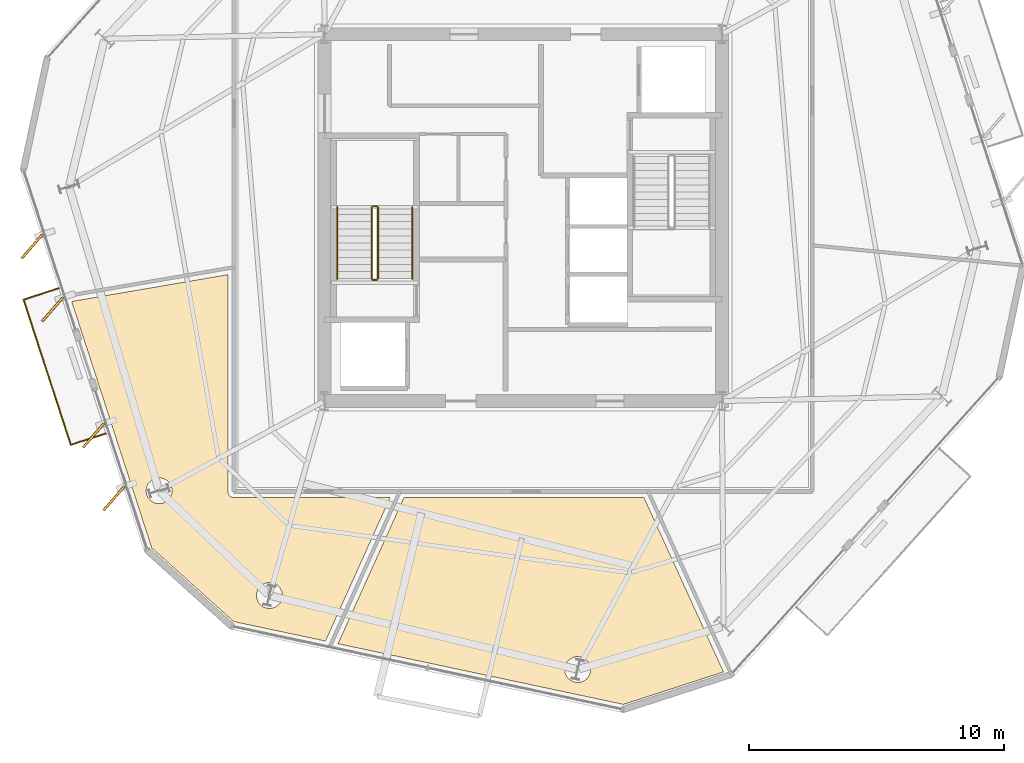
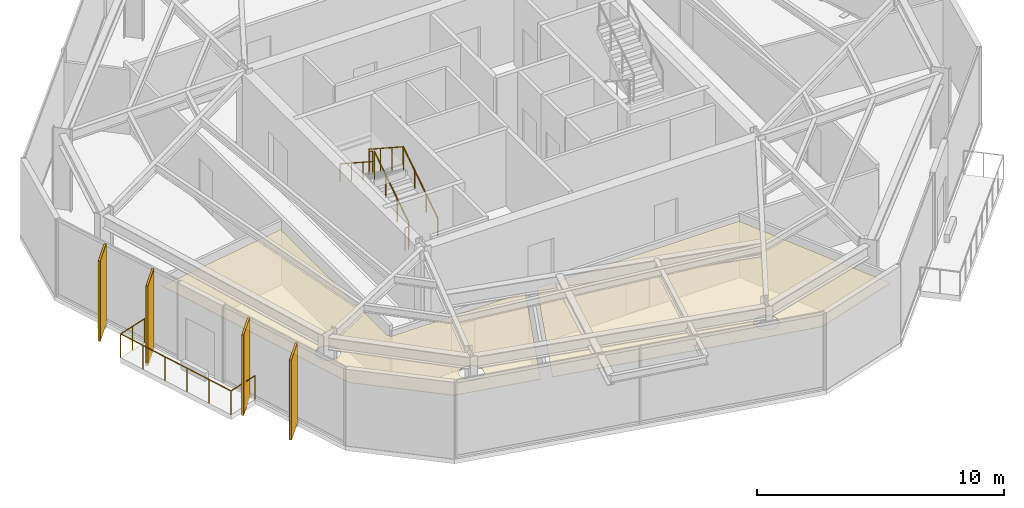
# One storey, part 9 of 11: 7 railings, 6 coverings, 4 shading devices.
"""IFC4 building model written with IfcOpenShell, lengths in metres."""

from ifc_helpers import new_model, si_unit, direction, frame, origin, origin_2d, place, context, subcontext, project, spatial, polyline, rectangle, circle, outline, extrude, material, layer, layer_set, type_object, element, save


model = new_model("IFC4")

# Units and contexts
model_context = context("Model", 3, precision=1e-05, world=origin(), true_north=direction((0.0, 1.0)))
body_context = subcontext(model_context, "Body", "Model", "MODEL_VIEW")
ifc_project = project(units=[si_unit("LENGTHUNIT", "METRE"), si_unit("AREAUNIT", "SQUARE_METRE"), si_unit("VOLUMEUNIT", "CUBIC_METRE"), si_unit("PLANEANGLEUNIT", "RADIAN"), si_unit("MASSUNIT", "GRAM", prefix="KILO")], contexts=[model_context])

# Site, building, storey
site_placement = place(None, origin())
site = spatial("IfcSite", under=ifc_project, at=site_placement, CompositionType="ELEMENT")
building_placement = place(site_placement, origin())
building = spatial("IfcBuilding", under=site, at=building_placement, Name="Kranzbogen Civic Tower", CompositionType="ELEMENT")
storey_placement = place(building_placement, frame((0.0, 0.0, 216.800048828125)))
storey = spatial("IfcBuildingStorey", under=building, at=storey_placement, Name="L52", CompositionType="ELEMENT", Elevation=216.800048828125)

# Coverings
ifc_material_1 = material(Name="Pale Anodised Aluminium", Category="aluminium")
ifc_layer_1 = layer(ifc_material_1, 0.02490234375, Name="Pale Anodised Aluminium")
ifc_layer_set_1 = layer_set([ifc_layer_1], Name="Pale Anodised Aluminium")
covering_type_1 = type_object("IfcCoveringType", Name="Anodised Aluminium Vertical Fin Cladding 25 mm", PredefinedType="CLADDING", material=ifc_layer_set_1)
for number, where, z_axis, x_axis, name in (
    (1, (5.720947265625, 23.864990234375, -0.14013671875), (0.0, 0.0, 1.0), (-0.657322635543, -0.753609283915, 0.0), "L52 vertical fin pale-metal cladding F3-1"),
    (2, (6.52392578125, 21.39306640625, -0.14013671875), (0.0, 0.0, 1.0), (-0.657322635543, -0.753609283915, 0.0), "L52 vertical fin pale-metal cladding F3-2"),
    (3, (8.131103515625, 16.447021484375, -0.14013671875), (0.0, 0.0, 1.0), (-0.657322635543, -0.753609283915, 0.0), "L52 vertical fin pale-metal cladding F3-4"),
    (4, (8.93408203125, 13.97412109375, -0.14013671875), (0.0, 0.0, 1.0), (-0.657322635543, -0.753609283915, 0.0), "L52 vertical fin pale-metal cladding F3-5"),
):
    element("IfcCovering", number, at=place(storey_placement, frame(where, z_axis=z_axis, x_axis=x_axis)), inside=storey, type_object=covering_type_1, Name=name, PredefinedType="CLADDING", context=body_context, shape_type="SweptSolid", body=[
        extrude(rectangle(XDim=1.25, YDim=0.10009765625, at=origin_2d()), origin(), (0.0, 0.0, 1.0), 3.9599609375),
    ])

# Shading devices
ifc_material_2 = material(Name="Anodised Bronze Aluminium", Category="aluminium")
shading_device_type = type_object("IfcShadingDeviceType", Name="Anodised Bronze Vertical Facade Fin 1250x80", PredefinedType="USERDEFINED", material=ifc_material_2)
for number, where, z_axis, x_axis, name in (
    (5, (5.720947265625, 23.864990234375, -0.14013671875), (0.0, 0.0, 1.0), (-0.657322635543, -0.753609283915, 0.0), "L52 vertical exterior shading fin F3-1"),
    (6, (6.52392578125, 21.39306640625, -0.14013671875), (0.0, 0.0, 1.0), (-0.657322635543, -0.753609283915, 0.0), "L52 vertical exterior shading fin F3-2"),
    (7, (8.131103515625, 16.447021484375, -0.14013671875), (0.0, 0.0, 1.0), (-0.657322635543, -0.753609283915, 0.0), "L52 vertical exterior shading fin F3-4"),
    (8, (8.93408203125, 13.97412109375, -0.14013671875), (0.0, 0.0, 1.0), (-0.657322635543, -0.753609283915, 0.0), "L52 vertical exterior shading fin F3-5"),
):
    element("IfcShadingDevice", number, at=place(storey_placement, frame(where, z_axis=z_axis, x_axis=x_axis)), inside=storey, type_object=shading_device_type, Name=name, ObjectType="FIN", PredefinedType="USERDEFINED", context=body_context, shape_type="SweptSolid", body=[
        extrude(rectangle(XDim=1.25, YDim=0.080078125, at=origin_2d()), origin(), (0.0, 0.0, 1.0), 3.9599609375),
    ])

# Railings
railing_type_1 = type_object("IfcRailingType", Name="Cantilevered Balcony Glass and Bronze Balustrade 1200", PredefinedType="BALUSTRADE", material=ifc_material_2)
railing_1_placement = place(storey_placement, frame((6.763916015625, 22.22900390625, 0.0)))
element("IfcRailing", 9, at=railing_1_placement, inside=storey, type_object=railing_type_1, Name="L52 exterior terrace balustrade L52-TB2", PredefinedType="BALUSTRADE", context=body_context, shape_type="SweptSolid", body=[
    extrude(circle(Radius=0.02392578125, at=origin_2d()), frame((0.0, 0.0, 1.17578125), z_axis=(-0.951063763333, -0.308994689397, 0.0), x_axis=(0.308994689397, -0.951063763333, 0.0)), (0.0, 0.0, 1.0), 1.449951171875),
    extrude(circle(Radius=0.02392578125, at=origin_2d()), frame((-1.37890625, -0.447998046875, 1.17578125), z_axis=(0.309016142662, -0.951056793033, 0.0), x_axis=(0.951056793033, 0.309016142662, 0.0)), (0.0, 0.0, 1.0), 5.999755859375),
    extrude(circle(Radius=0.02392578125, at=origin_2d()), frame((0.47509765625, -6.154052734375, 1.17578125), z_axis=(0.951063763333, 0.308994689397, 0.0), x_axis=(-0.308994689397, 0.951063763333, 0.0)), (0.0, 0.0, 1.0), 1.449951171875),
    extrude(circle(Radius=0.02099609375, at=origin_2d()), origin(), (0.0, 0.0, 1.0), 1.15185546875),
    extrude(circle(Radius=0.02099609375, at=origin_2d()), frame((-0.689453125, -0.22412109375, 0.0)), (0.0, 0.0, 1.0), 1.15185546875),
    extrude(circle(Radius=0.02099609375, at=origin_2d()), frame((-1.37890625, -0.447998046875, 0.0)), (0.0, 0.0, 1.0), 1.15185546875),
    extrude(circle(Radius=0.02099609375, at=origin_2d()), frame((-1.008056640625, -1.589111328125, 0.0)), (0.0, 0.0, 1.0), 1.15185546875),
    extrude(circle(Radius=0.02099609375, at=origin_2d()), frame((-0.63720703125, -2.73046875, 0.0)), (0.0, 0.0, 1.0), 1.15185546875),
    extrude(circle(Radius=0.02099609375, at=origin_2d()), frame((-0.2666015625, -3.87158203125, 0.0)), (0.0, 0.0, 1.0), 1.15185546875),
    extrude(circle(Radius=0.02099609375, at=origin_2d()), frame((0.104248046875, -5.012939453125, 0.0)), (0.0, 0.0, 1.0), 1.15185546875),
    extrude(circle(Radius=0.02099609375, at=origin_2d()), frame((0.47509765625, -6.154052734375, 0.0)), (0.0, 0.0, 1.0), 1.15185546875),
    extrude(circle(Radius=0.02099609375, at=origin_2d()), frame((1.16455078125, -5.93017578125, 0.0)), (0.0, 0.0, 1.0), 1.15185546875),
    extrude(circle(Radius=0.02099609375, at=origin_2d()), frame((1.85400390625, -5.7060546875, 0.0)), (0.0, 0.0, 1.0), 1.15185546875),
])
ifc_material_3 = material(Name="Steel S355", Category="steel")
railing_type_2 = type_object("IfcRailingType", Name="Internal Stair and Void Steel Guardrail 1150", PredefinedType="GUARDRAIL", material=ifc_material_3)
railing_2_placement = place(storey_placement, frame((19.300048828125, 22.60009765625, 0.181884765625)))
element("IfcRailing", 10, at=railing_2_placement, inside=storey, type_object=railing_type_2, Name="L52 ST-T1 stair guard 1", PredefinedType="GUARDRAIL", context=body_context, shape_type="SweptSolid", body=[
    extrude(circle(Radius=0.02392578125, at=origin_2d()), frame((0.0, 0.0, 1.1259765625), z_axis=(0.0, 0.83868413941, 0.544618136222), x_axis=(-1.0, 0.0, 0.0)), (0.0, 0.0, 1.0), 3.33837890625),
    extrude(circle(Radius=0.02099609375, at=origin_2d()), origin(), (0.0, 0.0, 1.0), 1.101806640625),
    extrude(circle(Radius=0.02099609375, at=origin_2d()), frame((0.0, 0.933349609375, 0.60595703125)), (0.0, 0.0, 1.0), 1.101806640625),
    extrude(circle(Radius=0.02099609375, at=origin_2d()), frame((0.0, 1.866455078125, 1.212158203125)), (0.0, 0.0, 1.0), 1.101806640625),
    extrude(circle(Radius=0.02099609375, at=origin_2d()), frame((0.0, 2.7998046875, 1.818115234375)), (0.0, 0.0, 1.0), 1.101806640625),
])
railing_3_placement = place(storey_placement, frame((19.25, 25.449951171875, 2.0)))
element("IfcRailing", 11, at=railing_3_placement, inside=storey, type_object=railing_type_2, Name="L52 ST-T1 stair guard 2", PredefinedType="GUARDRAIL", context=body_context, shape_type="SweptSolid", body=[
    extrude(circle(Radius=0.02392578125, at=origin_2d()), frame((0.0, 0.0, 1.1259765625), z_axis=(-1.0, 0.0, 0.0), x_axis=(0.0, -1.0, 0.0)), (0.0, 0.0, 1.0), 0.14990234375),
    extrude(circle(Radius=0.02099609375, at=origin_2d()), origin(), (0.0, 0.0, 1.0), 1.101806640625),
    extrude(circle(Radius=0.02099609375, at=origin_2d()), frame((-0.14990234375, 0.0, 0.0)), (0.0, 0.0, 1.0), 1.101806640625),
])
railing_4_placement = place(storey_placement, frame((19.050048828125, 25.39990234375, 2.181884765625)))
element("IfcRailing", 12, at=railing_4_placement, inside=storey, type_object=railing_type_2, Name="L52 ST-T1 stair guard 3", PredefinedType="GUARDRAIL", context=body_context, shape_type="SweptSolid", body=[
    extrude(circle(Radius=0.02392578125, at=origin_2d()), frame((0.0, 0.0, 1.1259765625), z_axis=(0.0, -0.83868413941, 0.544618136222), x_axis=(1.0, 0.0, 0.0)), (0.0, 0.0, 1.0), 3.33837890625),
    extrude(circle(Radius=0.02099609375, at=origin_2d()), origin(), (0.0, 0.0, 1.0), 1.101806640625),
    extrude(circle(Radius=0.02099609375, at=origin_2d()), frame((0.0, -0.933349609375, 0.60595703125)), (0.0, 0.0, 1.0), 1.101806640625),
    extrude(circle(Radius=0.02099609375, at=origin_2d()), frame((0.0, -1.866455078125, 1.212158203125)), (0.0, 0.0, 1.0), 1.101806640625),
    extrude(circle(Radius=0.02099609375, at=origin_2d()), frame((0.0, -2.7998046875, 1.818115234375)), (0.0, 0.0, 1.0), 1.101806640625),
])
railing_5_placement = place(storey_placement, frame((19.25, 22.550048828125, 0.0)))
element("IfcRailing", 13, at=railing_5_placement, inside=storey, type_object=railing_type_2, Name="L52 ST-T1 stair guard 4", PredefinedType="GUARDRAIL", context=body_context, shape_type="SweptSolid", body=[
    extrude(circle(Radius=0.02392578125, at=origin_2d()), frame((0.0, 0.0, 1.1259765625), z_axis=(-1.0, 0.0, 0.0), x_axis=(0.0, -1.0, 0.0)), (0.0, 0.0, 1.0), 0.14990234375),
    extrude(circle(Radius=0.02099609375, at=origin_2d()), origin(), (0.0, 0.0, 1.0), 1.101806640625),
    extrude(circle(Radius=0.02099609375, at=origin_2d()), frame((-0.14990234375, 0.0, 0.0)), (0.0, 0.0, 1.0), 1.101806640625),
])

# Coverings
ifc_material_4 = material(Name="Perforated Acoustic Gypsum Ceiling")
ifc_layer_2 = layer(ifc_material_4, 0.02490234375, Name="Perforated Acoustic Gypsum Ceiling")
ifc_layer_set_2 = layer_set([ifc_layer_2], Name="Perforated Acoustic Gypsum Ceiling")
covering_type_2 = type_object("IfcCoveringType", Name="Perforated Acoustic Mineral Ceiling Tile 25 mm", PredefinedType="CEILING", material=ifc_layer_set_2)
covering_1_placement = place(storey_placement, frame((0.0, 0.0, 2.89990234375)))
element("IfcCovering", 14, at=covering_1_placement, inside=storey, type_object=covering_type_2, Name="L52 Delegates Sitting Lounge acoustic ceiling", PredefinedType="CEILING", context=body_context, shape_type="SweptSolid", body=[
    extrude(outline(polyline([(10.4169921875, 12.035888671875), (7.27490234375, 21.7080078125), (13.405029296875, 22.760986328125), (13.405029296875, 14.25), (13.405029296875, 14.240966796875), (13.406005859375, 14.235107421875), (13.406982421875, 14.217041015625), (13.407958984375, 14.2109375), (13.412109375, 14.194091796875), (13.4130859375, 14.18701171875), (13.41796875, 14.169921875), (13.419921875, 14.1640625), (13.427001953125, 14.14794921875), (13.429931640625, 14.14208984375), (13.43798828125, 14.126953125), (13.44189453125, 14.12109375), (13.450927734375, 14.10693359375), (13.455078125, 14.10205078125), (13.466064453125, 14.087890625), (13.470947265625, 14.0830078125), (13.48291015625, 14.071044921875), (13.488037109375, 14.06591796875), (13.501953125, 14.054931640625), (13.507080078125, 14.051025390625), (13.52099609375, 14.0419921875), (13.527099609375, 14.0380859375), (13.5419921875, 14.030029296875), (13.548095703125, 14.027099609375), (13.56396484375, 14.02001953125), (13.570068359375, 14.01806640625), (13.5869140625, 14.012939453125), (13.593994140625, 14.011962890625), (13.611083984375, 14.008056640625), (13.616943359375, 14.007080078125), (13.635009765625, 14.006103515625), (13.64111328125, 14.0048828125), (13.64990234375, 14.0048828125), (19.77587890625, 14.0048828125), (17.239013671875, 8.375), (13.632080078125, 9.14208984375), (10.4169921875, 12.035888671875)]), holes=[polyline([(15.508056640625, 9.970947265625), (15.486083984375, 9.926025390625), (15.4609375, 9.883056640625), (15.430908203125, 9.843017578125), (15.39794921875, 9.805908203125), (15.361083984375, 9.77294921875), (15.321044921875, 9.742919921875), (15.278076171875, 9.718017578125), (15.23291015625, 9.696044921875), (15.18603515625, 9.679931640625), (15.137939453125, 9.66796875), (15.089111328125, 9.659912109375), (15.0390625, 9.657958984375), (14.989013671875, 9.659912109375), (14.93994140625, 9.66796875), (14.89208984375, 9.679931640625), (14.844970703125, 9.696044921875), (14.800048828125, 9.718017578125), (14.757080078125, 9.742919921875), (14.717041015625, 9.77294921875), (14.679931640625, 9.805908203125), (14.64697265625, 9.843017578125), (14.616943359375, 9.883056640625), (14.592041015625, 9.926025390625), (14.570068359375, 9.970947265625), (14.553955078125, 10.01806640625), (14.5419921875, 10.06591796875), (14.533935546875, 10.114990234375), (14.531982421875, 10.1650390625), (14.533935546875, 10.215087890625), (14.5419921875, 10.263916015625), (14.553955078125, 10.31201171875), (14.570068359375, 10.35888671875), (14.592041015625, 10.404052734375), (14.616943359375, 10.447021484375), (14.64697265625, 10.487060546875), (14.679931640625, 10.52392578125), (14.717041015625, 10.556884765625), (14.757080078125, 10.5869140625), (14.800048828125, 10.612060546875), (14.844970703125, 10.634033203125), (14.89208984375, 10.64990234375), (14.93994140625, 10.662109375), (14.989013671875, 10.669921875), (15.0390625, 10.672119140625), (15.089111328125, 10.669921875), (15.137939453125, 10.662109375), (15.18603515625, 10.64990234375), (15.23291015625, 10.634033203125), (15.278076171875, 10.612060546875), (15.321044921875, 10.5869140625), (15.361083984375, 10.556884765625), (15.39794921875, 10.52392578125), (15.430908203125, 10.487060546875), (15.4609375, 10.447021484375), (15.486083984375, 10.404052734375), (15.508056640625, 10.35888671875), (15.52392578125, 10.31201171875), (15.535888671875, 10.263916015625), (15.5439453125, 10.215087890625), (15.5458984375, 10.1650390625), (15.5439453125, 10.114990234375), (15.535888671875, 10.06591796875), (15.52392578125, 10.01806640625), (15.508056640625, 9.970947265625)]), polyline([(11.176025390625, 14.08203125), (11.154052734375, 14.037109375), (11.12890625, 13.993896484375), (11.09912109375, 13.9541015625), (11.06591796875, 13.9169921875), (11.029052734375, 13.884033203125), (10.989013671875, 13.85400390625), (10.946044921875, 13.8291015625), (10.90087890625, 13.806884765625), (10.85400390625, 13.791015625), (10.805908203125, 13.779052734375), (10.757080078125, 13.77099609375), (10.70703125, 13.76904296875), (10.656982421875, 13.77099609375), (10.60791015625, 13.779052734375), (10.56005859375, 13.791015625), (10.512939453125, 13.806884765625), (10.468017578125, 13.8291015625), (10.425048828125, 13.85400390625), (10.385009765625, 13.884033203125), (10.347900390625, 13.9169921875), (10.31494140625, 13.9541015625), (10.284912109375, 13.993896484375), (10.260009765625, 14.037109375), (10.238037109375, 14.08203125), (10.221923828125, 14.12890625), (10.2099609375, 14.177001953125), (10.201904296875, 14.22607421875), (10.199951171875, 14.27587890625), (10.201904296875, 14.325927734375), (10.2099609375, 14.375), (10.221923828125, 14.423095703125), (10.238037109375, 14.469970703125), (10.260009765625, 14.514892578125), (10.284912109375, 14.55810546875), (10.31494140625, 14.597900390625), (10.347900390625, 14.635009765625), (10.385009765625, 14.66796875), (10.425048828125, 14.697998046875), (10.468017578125, 14.722900390625), (10.512939453125, 14.7451171875), (10.56005859375, 14.760986328125), (10.60791015625, 14.77294921875), (10.656982421875, 14.781005859375), (10.70703125, 14.782958984375), (10.757080078125, 14.781005859375), (10.805908203125, 14.77294921875), (10.85400390625, 14.760986328125), (10.90087890625, 14.7451171875), (10.946044921875, 14.722900390625), (10.989013671875, 14.697998046875), (11.029052734375, 14.66796875), (11.06591796875, 14.635009765625), (11.09912109375, 14.597900390625), (11.12890625, 14.55810546875), (11.154052734375, 14.514892578125), (11.176025390625, 14.469970703125), (11.19189453125, 14.423095703125), (11.2041015625, 14.375), (11.2119140625, 14.325927734375), (11.214111328125, 14.27587890625), (11.2119140625, 14.22607421875), (11.2041015625, 14.177001953125), (11.19189453125, 14.12890625), (11.176025390625, 14.08203125)])]), origin(), (0.0, 0.0, 1.0), 0.025146484375),
])
covering_2_placement = place(storey_placement, frame((0.0, 0.0, 2.89990234375)))
element("IfcCovering", 15, at=covering_2_placement, inside=storey, type_object=covering_type_2, Name="L52 Executive Research Study acoustic ceiling", PredefinedType="CEILING", context=body_context, shape_type="SweptSolid", body=[
    extrude(outline(polyline([(17.72900390625, 8.27099609375), (20.31396484375, 14.0048828125), (29.743896484375, 14.0048828125), (32.863037109375, 7.1650390625), (28.93505859375, 5.888916015625), (17.72900390625, 8.27099609375)]), holes=[polyline([(27.60888671875, 7.06591796875), (27.5869140625, 7.02099609375), (27.56201171875, 6.97802734375), (27.531982421875, 6.93798828125), (27.4990234375, 6.90087890625), (27.4619140625, 6.867919921875), (27.422119140625, 6.837890625), (27.37890625, 6.81298828125), (27.333984375, 6.791015625), (27.287109375, 6.77490234375), (27.239013671875, 6.762939453125), (27.18994140625, 6.7548828125), (27.139892578125, 6.7529296875), (27.090087890625, 6.7548828125), (27.041015625, 6.762939453125), (26.992919921875, 6.77490234375), (26.946044921875, 6.791015625), (26.90087890625, 6.81298828125), (26.85791015625, 6.837890625), (26.818115234375, 6.867919921875), (26.781005859375, 6.90087890625), (26.748046875, 6.93798828125), (26.718017578125, 6.97802734375), (26.693115234375, 7.02099609375), (26.6708984375, 7.06591796875), (26.655029296875, 7.113037109375), (26.64306640625, 7.160888671875), (26.635009765625, 7.2099609375), (26.633056640625, 7.260009765625), (26.635009765625, 7.31005859375), (26.64306640625, 7.35888671875), (26.655029296875, 7.406982421875), (26.6708984375, 7.4541015625), (26.693115234375, 7.4990234375), (26.718017578125, 7.5419921875), (26.748046875, 7.58203125), (26.781005859375, 7.618896484375), (26.818115234375, 7.652099609375), (26.85791015625, 7.681884765625), (26.90087890625, 7.70703125), (26.946044921875, 7.72900390625), (26.992919921875, 7.7451171875), (27.041015625, 7.757080078125), (27.090087890625, 7.764892578125), (27.139892578125, 7.76708984375), (27.18994140625, 7.764892578125), (27.239013671875, 7.757080078125), (27.287109375, 7.7451171875), (27.333984375, 7.72900390625), (27.37890625, 7.70703125), (27.422119140625, 7.681884765625), (27.4619140625, 7.652099609375), (27.4990234375, 7.618896484375), (27.531982421875, 7.58203125), (27.56201171875, 7.5419921875), (27.5869140625, 7.4990234375), (27.60888671875, 7.4541015625), (27.625, 7.406982421875), (27.636962890625, 7.35888671875), (27.64501953125, 7.31005859375), (27.64697265625, 7.260009765625), (27.64501953125, 7.2099609375), (27.636962890625, 7.160888671875), (27.625, 7.113037109375), (27.60888671875, 7.06591796875)])]), origin(), (0.0, 0.0, 1.0), 0.025146484375),
])

# Railings
railing_type_3 = type_object("IfcRailingType", Name="Tubular Stainless Stair Wall Handrail 900", PredefinedType="HANDRAIL", material=ifc_material_1)
railing_6_placement = place(storey_placement, frame((20.64990234375, 22.60009765625, 0.181884765625)))
element("IfcRailing", 16, at=railing_6_placement, inside=storey, type_object=railing_type_3, Name="L52 ST-T1 stair handrail 1", PredefinedType="HANDRAIL", context=body_context, shape_type="SweptSolid", body=[
    extrude(circle(Radius=0.02392578125, at=origin_2d()), frame((0.0, 0.0, 0.8759765625), z_axis=(0.0, 0.83868413941, 0.544618136222), x_axis=(-1.0, 0.0, 0.0)), (0.0, 0.0, 1.0), 3.33837890625),
    extrude(circle(Radius=0.02099609375, at=origin_2d()), origin(), (0.0, 0.0, 1.0), 0.851806640625),
    extrude(circle(Radius=0.02099609375, at=origin_2d()), frame((0.0, 0.933349609375, 0.60595703125)), (0.0, 0.0, 1.0), 0.851806640625),
    extrude(circle(Radius=0.02099609375, at=origin_2d()), frame((0.0, 1.866455078125, 1.212158203125)), (0.0, 0.0, 1.0), 0.851806640625),
    extrude(circle(Radius=0.02099609375, at=origin_2d()), frame((0.0, 2.7998046875, 1.818115234375)), (0.0, 0.0, 1.0), 0.851806640625),
])
railing_7_placement = place(storey_placement, frame((17.699951171875, 25.39990234375, 2.181884765625)))
element("IfcRailing", 17, at=railing_7_placement, inside=storey, type_object=railing_type_3, Name="L52 ST-T1 stair handrail 2", PredefinedType="HANDRAIL", context=body_context, shape_type="SweptSolid", body=[
    extrude(circle(Radius=0.02392578125, at=origin_2d()), frame((0.0, 0.0, 0.8759765625), z_axis=(0.0, -0.83868413941, 0.544618136222), x_axis=(1.0, 0.0, 0.0)), (0.0, 0.0, 1.0), 3.33837890625),
    extrude(circle(Radius=0.02099609375, at=origin_2d()), origin(), (0.0, 0.0, 1.0), 0.851806640625),
    extrude(circle(Radius=0.02099609375, at=origin_2d()), frame((0.0, -0.933349609375, 0.60595703125)), (0.0, 0.0, 1.0), 0.851806640625),
    extrude(circle(Radius=0.02099609375, at=origin_2d()), frame((0.0, -1.866455078125, 1.212158203125)), (0.0, 0.0, 1.0), 0.851806640625),
    extrude(circle(Radius=0.02099609375, at=origin_2d()), frame((0.0, -2.7998046875, 1.818115234375)), (0.0, 0.0, 1.0), 0.851806640625),
])

save(model, "model.ifc")
